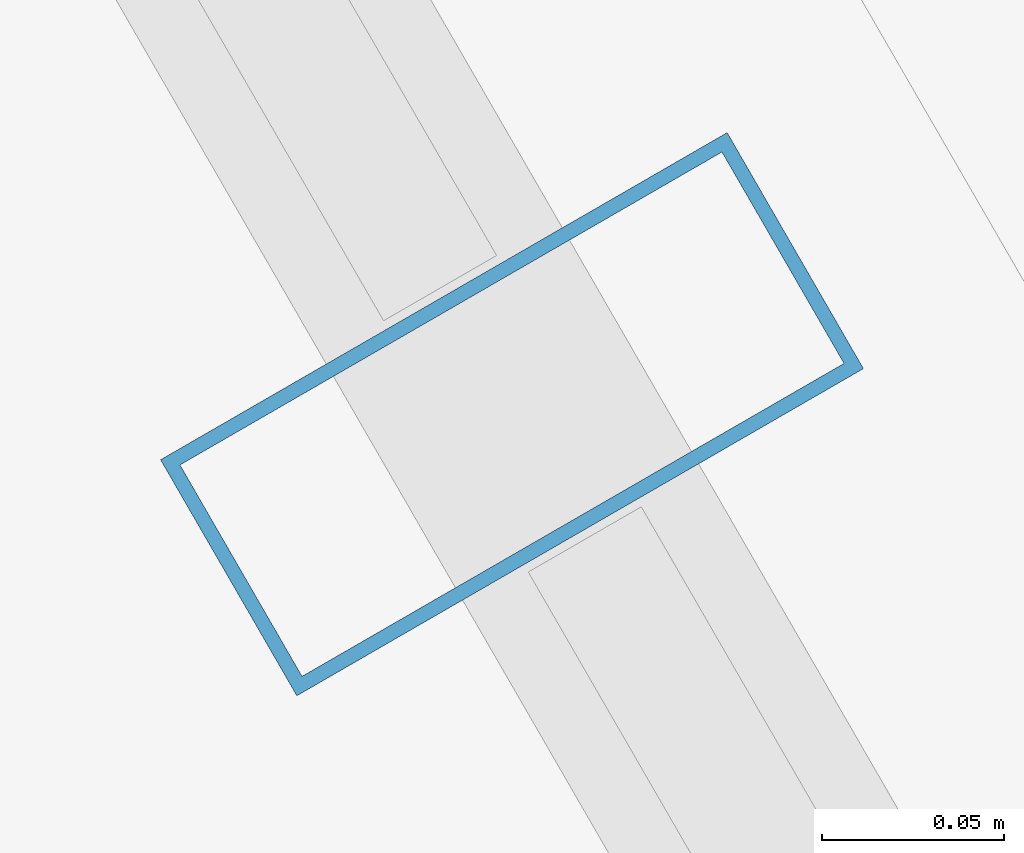
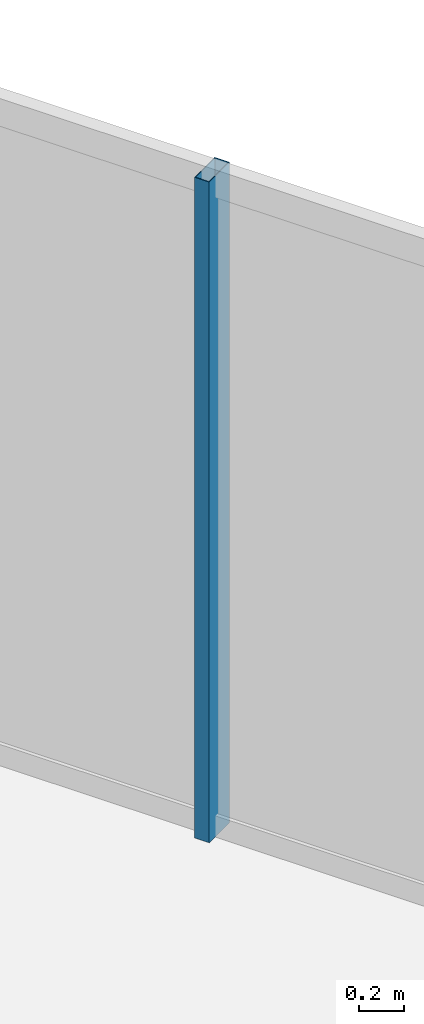
# One storey, part 19 of 35: 1 member, 1 element without a shape of its own.
"""IFC4 building model written with IfcOpenShell, lengths in metres."""

from ifc_helpers import new_model, si_unit, direction, frame, origin, origin_2d, place, context, subcontext, project, spatial, hollow_rectangle, extrude, material, layer, layer_set, material_profile, profile_set, type_object, element, aggregate, save


model = new_model("IFC4")

# Units and contexts
model_context = context("Model", 3, precision=1e-05, world=origin(), true_north=direction((0.0, 1.0)))
body_context = subcontext(model_context, "Body", "Model", "MODEL_VIEW")
ifc_project = project(units=[si_unit("LENGTHUNIT", "METRE"), si_unit("AREAUNIT", "SQUARE_METRE"), si_unit("VOLUMEUNIT", "CUBIC_METRE"), si_unit("PLANEANGLEUNIT", "RADIAN"), si_unit("MASSUNIT", "GRAM", prefix="KILO")], contexts=[model_context])

# Site, building, storey
site_placement = place(None, origin())
site = spatial("IfcSite", under=ifc_project, at=site_placement, CompositionType="ELEMENT")
building_placement = place(site_placement, origin())
building = spatial("IfcBuilding", under=site, at=building_placement, Name="Ndaravel Arena Tower", CompositionType="ELEMENT")
storey_placement = place(building_placement, frame((0.0, 0.0, 271.199951171875)))
storey = spatial("IfcBuildingStorey", under=building, at=storey_placement, Name="L66", CompositionType="ELEMENT", Elevation=271.199951171875)

# Curtain wall, member
ifc_material_1 = material(Name="Aluminium", Category="aluminium")
ifc_layer = layer(ifc_material_1, 0.179931640625)
ifc_layer_set = layer_set([ifc_layer], Name="Aluminium")
curtain_wall_type = type_object("IfcCurtainWallType", Name="CW-SYS-03", PredefinedType="NOTDEFINED", material=ifc_layer_set)
curtain_wall_placement = place(storey_placement, origin())
curtain_wall = element("IfcCurtainWall", 1, at=curtain_wall_placement, inside=storey, type_object=curtain_wall_type, Name="L66 Faceted Crystal Curtain Wall CW-L66-E03", PredefinedType="NOTDEFINED")
ifc_material_2 = material(Name="Aluminium", Category="aluminium")
ifc_material_profile = material_profile(ifc_material_2, hollow_rectangle(XDim=0.074951171875, YDim=0.179931640625, WallThickness=0.00390625, at=origin_2d()), Name="CW MULLION 75x180x4")
ifc_profile_set = profile_set([ifc_material_profile], Name="Aluminium")
member_type = type_object("IfcMemberType", Name="MEM-CW-MUL180", PredefinedType="MULLION", material=ifc_profile_set)
member_placement = place(storey_placement, frame((51.19775390625, 32.614501953125, 0.0), z_axis=(0.0, 0.0, 1.0), x_axis=(-0.5, 0.866025403784, 0.0)))
member = element("IfcMember", 2, at=member_placement, type_object=member_type, Name="CW-L66-E03 Mullion 06", PredefinedType="MULLION", context=body_context, shape_type="SweptSolid", body=[
    extrude(hollow_rectangle(XDim=0.074951171875, YDim=0.179931640625, WallThickness=0.00390625, at=origin_2d()), origin(), (0.0, 0.0, 1.0), 3.580078125),
])
aggregate(curtain_wall, [member])

save(model, "model.ifc")
